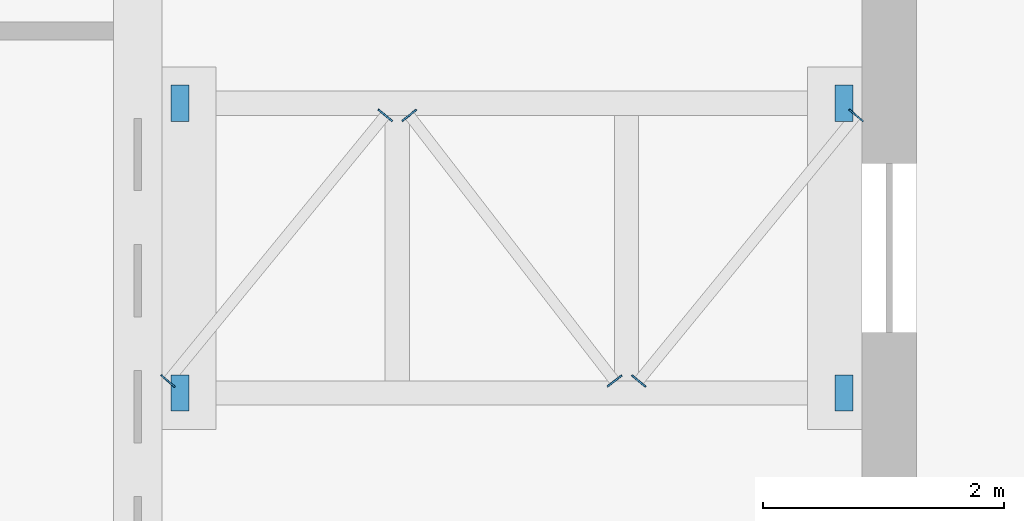
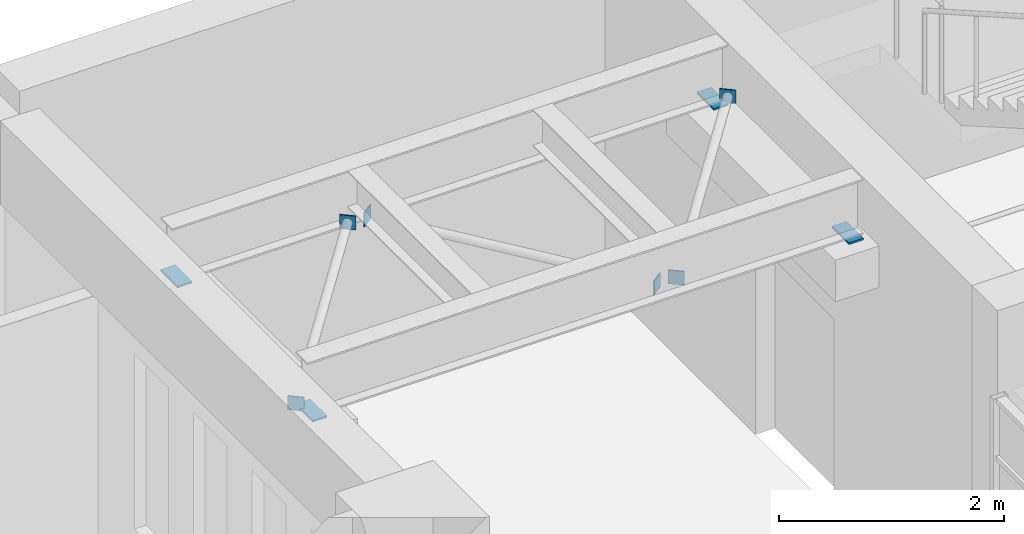
# One storey, part 90 of 103: 10 discrete accessories.
"""IFC4 building model written with IfcOpenShell, lengths in metres."""

import ifcopenshell
import ifcopenshell.guid

model = None  # the IFC model being written
_history = None  # IfcOwnerHistory: only IFC2X3 demands one
_inside = {}  # id of a spatial element -> (the spatial element, [elements in it])
_under = {}  # id of a project, library or spatial element -> (it, [spatial elements below it])
_declared = {}  # id of a project -> (the project, [libraries it declares])
_typed = {}  # id of a type object -> (the type object, [elements of that type])
_made_of = {}  # id of a material, layer set ... -> (it, [elements and type objects made of it])


def new_model(schema):
    """Start an empty IFC model of exactly this schema.

    Asked for "IFC4X3", IfcOpenShell would pick the latest addendum, in which some entities
    have other attributes; the version numbers below select the first issue.
    IFC2X3 requires an IfcOwnerHistory on every rooted entity: one is made here for all.
    """
    global model, _history
    if schema == "IFC4X3":
        model = ifcopenshell.file(schema_version=(4, 3, 0, 0))
    else:
        model = ifcopenshell.file(schema=schema)
    _inside.clear()
    _under.clear()
    _declared.clear()
    _typed.clear()
    _made_of.clear()
    _history = None
    if model.schema == "IFC2X3":
        org = make("IfcOrganization", Name="unknown")
        user = make(
            "IfcPersonAndOrganization",
            ThePerson=make("IfcPerson", FamilyName="unknown"),
            TheOrganization=org,
        )
        app = make(
            "IfcApplication",
            ApplicationDeveloper=org,
            Version="unknown",
            ApplicationFullName="unknown",
            ApplicationIdentifier="unknown",
        )
        _history = make(
            "IfcOwnerHistory",
            OwningUser=user,
            OwningApplication=app,
            ChangeAction="ADDED",
            CreationDate=0,
        )
    return model


def make(cls, **values):
    """One entity of the class cls with the attributes given. An attribute that is None is left unset."""
    return model.create_entity(
        cls, **{name: value for name, value in values.items() if value is not None}
    )


def rooted(cls, **values):
    """An entity with a GlobalId (a new one), such as an element, a storey or a relation."""
    return make(cls, GlobalId=ifcopenshell.guid.new(), OwnerHistory=_history, **values)


def si_unit(unit_type, name, prefix=None):
    """IfcSIUnit, for example si_unit("LENGTHUNIT", "METRE", prefix="MILLI")."""
    return make("IfcSIUnit", UnitType=unit_type, Prefix=prefix, Name=name)


def assignment(units):
    """IfcUnitAssignment: the units of a project."""
    return None if units is None else make("IfcUnitAssignment", Units=units)


def point(xyz):
    """IfcCartesianPoint."""
    return None if xyz is None else make("IfcCartesianPoint", Coordinates=xyz)


def direction(xyz):
    """IfcDirection."""
    return None if xyz is None else make("IfcDirection", DirectionRatios=xyz)


def frame(location, z_axis=None, x_axis=None):
    """IfcAxis2Placement3D, a coordinate frame: its origin and axes. An axis left out is left unset."""
    return make(
        "IfcAxis2Placement3D",
        Location=point(location),
        Axis=direction(z_axis),
        RefDirection=direction(x_axis),
    )


def frame_2d(location, x_axis=None):
    """IfcAxis2Placement2D, a coordinate frame in the plane: its origin and x axis."""
    return make(
        "IfcAxis2Placement2D", Location=point(location), RefDirection=direction(x_axis)
    )


def origin():
    """The frame at (0, 0, 0) with its axes left unset."""
    return frame((0.0, 0.0, 0.0))


def origin_2d():
    """The frame at (0, 0) in the plane with its x axis left unset."""
    return frame_2d((0.0, 0.0))


def place(relative_to, where):
    """IfcLocalPlacement: puts the frame where relative to a parent placement (None: the world)."""
    return make(
        "IfcLocalPlacement", PlacementRelTo=relative_to, RelativePlacement=where
    )


def context(
    kind, dimensions, precision=None, world=None, true_north=None, identifier=None
):
    """IfcGeometricRepresentationContext, for example the 3D "Model" context."""
    return make(
        "IfcGeometricRepresentationContext",
        ContextIdentifier=identifier,
        ContextType=kind,
        CoordinateSpaceDimension=dimensions,
        Precision=precision,
        WorldCoordinateSystem=world,
        TrueNorth=true_north,
    )


def subcontext(parent, identifier, kind, view, scale=None):
    """IfcGeometricRepresentationSubContext, for example "Body" below "Model"."""
    return make(
        "IfcGeometricRepresentationSubContext",
        ContextIdentifier=identifier,
        ContextType=kind,
        ParentContext=parent,
        TargetScale=scale,
        TargetView=view,
    )


def project(units=None, contexts=None):
    """IfcProject with its units and contexts."""
    return rooted(
        "IfcProject",
        Name="project",
        RepresentationContexts=contexts,
        UnitsInContext=assignment(units),
    )


def spatial(cls, under=None, at=None, **own):
    """A site, building, storey or space (cls), placed at a placement, below another one or the project."""
    s = rooted(cls, ObjectPlacement=at, **own)
    if under is not None:
        _under.setdefault(under.id(), (under, []))[1].append(s)
    return s


def profile(cls, at=None, kind="AREA", **sizes):
    """A parametric profile (cls). Its sizes go by their IFC names, for example OverallWidth=200.0."""
    return make(cls, ProfileType=kind, Position=at, **sizes)


def rectangle(**sizes):
    """IfcRectangleProfileDef."""
    return profile("IfcRectangleProfileDef", **sizes)


def extrude(swept, where, along, depth):
    """IfcExtrudedAreaSolid: the profile swept, set in the frame where, extruded along a direction by depth."""
    return make(
        "IfcExtrudedAreaSolid",
        SweptArea=swept,
        Position=where,
        ExtrudedDirection=direction(along),
        Depth=depth,
    )


def shape(context_of_items, identifier, shape_type, items):
    """IfcShapeRepresentation: the items that make up one representation, for example the "Body"."""
    return make(
        "IfcShapeRepresentation",
        ContextOfItems=context_of_items,
        RepresentationIdentifier=identifier,
        RepresentationType=shape_type,
        Items=items,
    )


def material(Name=None, Category=None):
    """IfcMaterial."""
    return make("IfcMaterial", Name=Name, Category=Category)


def material_profile(
    of_material, cross_section, Name=None, Category=None, Priority=None
):
    """IfcMaterialProfile: a cross section and its material."""
    return make(
        "IfcMaterialProfile",
        Name=Name,
        Material=of_material,
        Profile=cross_section,
        Priority=Priority,
        Category=Category,
    )


def profile_set(profiles, Name=None, composite=None):
    """IfcMaterialProfileSet."""
    return make(
        "IfcMaterialProfileSet",
        Name=Name,
        MaterialProfiles=profiles,
        CompositeProfile=composite,
    )


def made_of(thing, what):
    """Note that an element or type object is made of a material, layer set ...; save() writes the relation."""
    if what is not None:
        _made_of.setdefault(what.id(), (what, []))[1].append(thing)
    return thing


def type_object(cls, material=None, **own):
    """A type object (cls), such as IfcWallType, which elements share."""
    return made_of(rooted(cls, **own), material)


def element(
    cls,
    number,
    at=None,
    inside=None,
    cuts=None,
    type_object=None,
    material=None,
    context=None,
    identifier="Body",
    shape_type=None,
    held_by="IfcProductDefinitionShape",
    body=None,
    shapes=None,
    **own,
):
    """One element of the class cls, such as IfcWall. Its Tag is "e" and its number.

    at: its placement. inside: the storey or other place that contains it. cuts: it is an
    opening in that element (IfcRelVoidsElement). A single representation is given by context,
    identifier, shape_type and body (its items); several are given by shapes. held_by: the class
    of the entity that holds the representations. save() writes the other relations.
    """
    e = rooted(cls, Tag="e%d" % number, ObjectPlacement=at, **own)
    if body is not None:
        shapes = [shape(context, identifier, shape_type, body)]
    if shapes is not None:
        e.Representation = make(held_by, Representations=shapes)
    if inside is not None:
        _inside.setdefault(inside.id(), (inside, []))[1].append(e)
    if cuts is not None:
        rooted(
            "IfcRelVoidsElement", RelatingBuildingElement=cuts, RelatedOpeningElement=e
        )
    if type_object is not None:
        _typed.setdefault(type_object.id(), (type_object, []))[1].append(e)
    return made_of(e, material)


def aggregate(whole, parts):
    """IfcRelAggregates: a whole, such as a stair, and the parts it consists of."""
    return rooted("IfcRelAggregates", RelatingObject=whole, RelatedObjects=parts)


def save(model, path):
    """Write the relations noted so far, then the file.

    IfcRelAggregates (storeys below a building ...), IfcRelContainedInSpatialStructure (elements
    in a storey), IfcRelDefinesByType, IfcRelAssociatesMaterial and IfcRelDeclares: one each for
    every whole, place, type object, material and project.
    """
    for whole, parts in _under.values():
        aggregate(whole, parts)
    for where, things in _inside.values():
        rooted(
            "IfcRelContainedInSpatialStructure",
            RelatedElements=things,
            RelatingStructure=where,
        )
    for kind, things in _typed.values():
        rooted("IfcRelDefinesByType", RelatedObjects=things, RelatingType=kind)
    for what, things in _made_of.values():
        rooted("IfcRelAssociatesMaterial", RelatedObjects=things, RelatingMaterial=what)
    for by, libraries in _declared.values():
        rooted("IfcRelDeclares", RelatingContext=by, RelatedDefinitions=libraries)
    model.write(path)


model = new_model("IFC4")

# Units and contexts
model_context = context("Model", 3, precision=1e-05, world=origin(), true_north=direction((0.0, 1.0)))
body_context = subcontext(model_context, "Body", "Model", "MODEL_VIEW")
ifc_project = project(units=[si_unit("LENGTHUNIT", "METRE"), si_unit("AREAUNIT", "SQUARE_METRE"), si_unit("VOLUMEUNIT", "CUBIC_METRE"), si_unit("PLANEANGLEUNIT", "RADIAN"), si_unit("MASSUNIT", "GRAM", prefix="KILO")], contexts=[model_context])

# Site, building, storey
site_placement = place(None, origin())
site = spatial("IfcSite", under=ifc_project, at=site_placement, CompositionType="ELEMENT")
building_placement = place(site_placement, origin())
building = spatial("IfcBuilding", under=site, at=building_placement, Name="Laocheng Heights Fire and Rescue Headquarters", CompositionType="ELEMENT")
storey_placement = place(building_placement, frame((0.0, 0.0, 4.199951171875)))
storey = spatial("IfcBuildingStorey", under=building, at=storey_placement, Name="L01", CompositionType="ELEMENT", Elevation=4.199951171875)

# Discrete accessories
ifc_material_1 = material(Name="Steel Q355B, dark grey painted", Category="steel")
ifc_material_profile_1 = material_profile(ifc_material_1, rectangle(XDim=0.14990234375, YDim=0.14990234375, at=origin_2d()), Name="GUSSET PLATE 150 x 150 x 12 FOR STEEL BRIDGE PLAN BRACE CHS 88.9x5")
ifc_profile_set_1 = profile_set([ifc_material_profile_1], Name="Steel Q355B, dark grey painted")
discrete_accessory_type_1 = type_object("IfcDiscreteAccessoryType", Name="GUSSET PLATE 150 x 150 x 12 FOR STEEL BRIDGE PLAN BRACE CHS 88.9x5", PredefinedType="BRACKET", material=ifc_profile_set_1)
discrete_accessory_1_placement = place(storey_placement, frame((84.24609375, 52.8955078125, 3.4443359375), z_axis=(0.654151932932, 0.756363172452, 0.0), x_axis=(-0.756363172452, 0.654151932932, 0.0)))
element("IfcDiscreteAccessory", 1, at=discrete_accessory_1_placement, inside=storey, type_object=discrete_accessory_type_1, Name="End plate at M2-Q end 1", PredefinedType="BRACKET", context=body_context, shape_type="SweptSolid", body=[
    extrude(rectangle(XDim=0.14990234375, YDim=0.14990234375, at=origin_2d()), origin(), (0.0, 0.0, 1.0), 0.011962890625),
])
discrete_accessory_2_placement = place(storey_placement, frame((89.9462890625, 55.095458984375, 3.4443359375), z_axis=(0.64221986261, 0.76652048118, 0.0), x_axis=(-0.76652048118, 0.64221986261, 0.0)))
element("IfcDiscreteAccessory", 2, at=discrete_accessory_2_placement, inside=storey, type_object=discrete_accessory_type_1, Name="End plate at M2-Q end 2", PredefinedType="BRACKET", context=body_context, shape_type="SweptSolid", body=[
    extrude(rectangle(XDim=0.14990234375, YDim=0.14990234375, at=origin_2d()), origin(), (0.0, 0.0, 1.0), 0.01171875),
])
ifc_material_2 = material(Name="Steel Q355B, dark grey painted", Category="steel")
ifc_material_profile_2 = material_profile(ifc_material_2, rectangle(XDim=0.14990234375, YDim=0.14990234375, at=origin_2d()), Name="GUSSET PLATE 150 x 150 x 13 FOR STEEL BRIDGE PLAN BRACE CHS 88.9x5")
ifc_profile_set_2 = profile_set([ifc_material_profile_2], Name="Steel Q355B, dark grey painted")
discrete_accessory_type_2 = type_object("IfcDiscreteAccessoryType", Name="GUSSET PLATE 150 x 150 x 13 FOR STEEL BRIDGE PLAN BRACE CHS 88.9x5", PredefinedType="BRACKET", material=ifc_profile_set_2)
for number, where, z_axis, x_axis, name in (
    (3, (86.046142578125, 55.095458984375, 3.4443359375), (0.638335869595, 0.769757960393, 0.0), (-0.769757960393, 0.638335869595, 0.0), "End plate at M2-Q end 2"),
    (4, (86.24560546875, 55.10546875, 3.4443359375), (0.617821551932, -0.786318338822, 0.0), (0.786318338822, 0.617821551932, 0.0), "End plate at M2-Q end 1"),
    (5, (87.9462890625, 52.90478515625, 3.4443359375), (0.617821551932, -0.786318338822, 0.0), (0.786318338822, 0.617821551932, 0.0), "End plate at M2-Q end 2"),
    (6, (88.1455078125, 52.89453125, 3.4443359375), (0.638335869595, 0.769757960393, 0.0), (-0.769757960393, 0.638335869595, 0.0), "End plate at M2-Q end 1"),
):
    element("IfcDiscreteAccessory", number, at=place(storey_placement, frame(where, z_axis=z_axis, x_axis=x_axis)), inside=storey, type_object=discrete_accessory_type_2, Name=name, PredefinedType="BRACKET", context=body_context, shape_type="SweptSolid", body=[
        extrude(rectangle(XDim=0.14990234375, YDim=0.14990234375, at=origin_2d()), origin(), (0.0, 0.0, 1.0), 0.012939453125),
    ])
ifc_material_3 = material(Name="PTFE on stainless steel plate", Category="steel")
discrete_accessory_type_3 = type_object("IfcDiscreteAccessoryType", Name="SLIDING BEARING PAD 150 x 300 x 20", PredefinedType="SHOE", material=ifc_material_3)
for number, where, z_axis, x_axis, name in (
    (7, (84.35009765625, 52.800048828125, 3.380126953125), (0.0, 0.0, 1.0), (1.0, 0.0, 0.0), "Sliding bearing pad B3"),
    (8, (84.35009765625, 55.199951171875, 3.380126953125), (0.0, 0.0, 1.0), (1.0, 0.0, 0.0), "Sliding bearing pad B3"),
    (9, (89.85009765625, 52.800048828125, 3.380126953125), (0.0, 0.0, 1.0), (1.0, 0.0, 0.0), "Sliding bearing pad B3"),
    (10, (89.85009765625, 55.199951171875, 3.380126953125), (0.0, 0.0, 1.0), (1.0, 0.0, 0.0), "Sliding bearing pad B3"),
):
    element("IfcDiscreteAccessory", number, at=place(storey_placement, frame(where, z_axis=z_axis, x_axis=x_axis)), inside=storey, type_object=discrete_accessory_type_3, Name=name, PredefinedType="SHOE", context=body_context, shape_type="SweptSolid", body=[
        extrude(rectangle(XDim=0.14990234375, YDim=0.300048828125, at=origin_2d()), origin(), (0.0, 0.0, 1.0), 0.02001953125),
    ])

save(model, "model.ifc")
